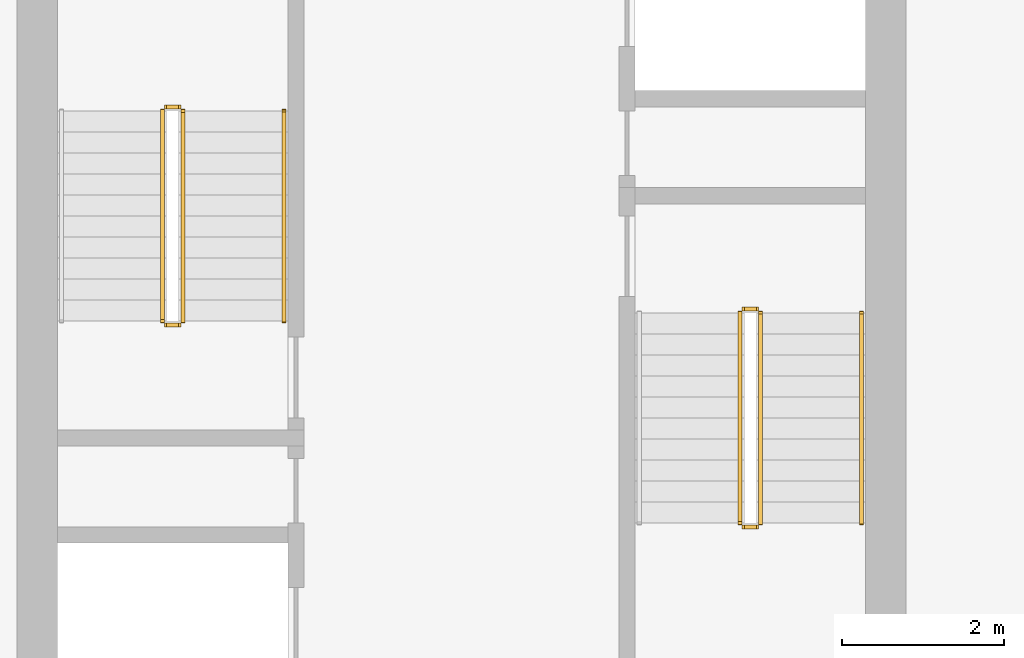
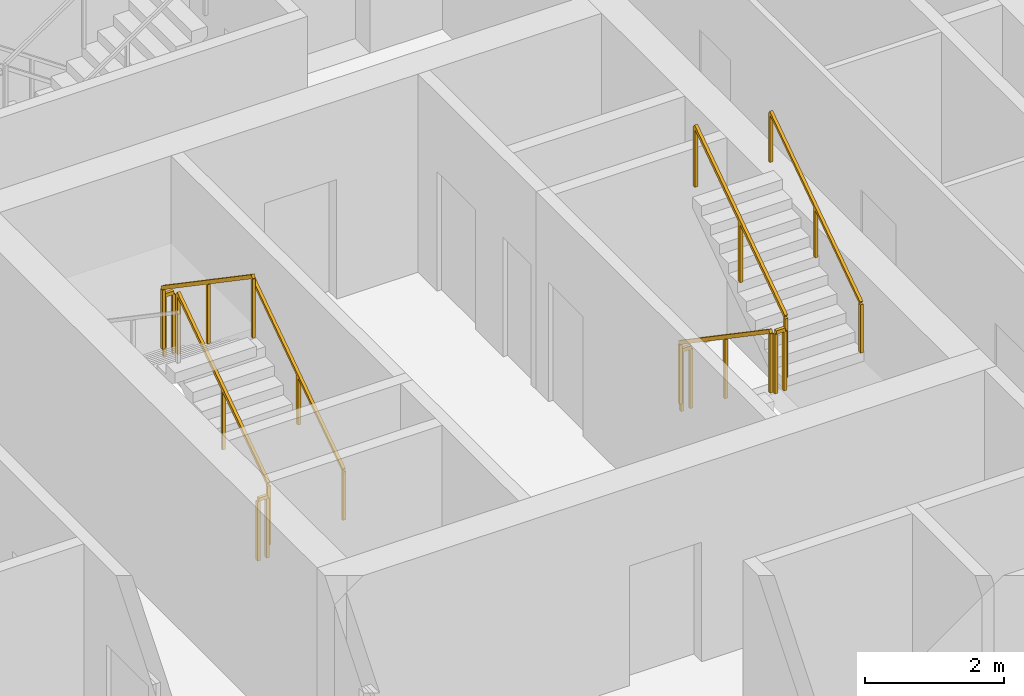
# One storey, part 12 of 15: 10 railings.
"""IFC4 building model written with IfcOpenShell, lengths in metres."""

import ifcopenshell
import ifcopenshell.guid

model = None  # the IFC model being written
_history = None  # IfcOwnerHistory: only IFC2X3 demands one
_inside = {}  # id of a spatial element -> (the spatial element, [elements in it])
_under = {}  # id of a project, library or spatial element -> (it, [spatial elements below it])
_declared = {}  # id of a project -> (the project, [libraries it declares])
_typed = {}  # id of a type object -> (the type object, [elements of that type])
_made_of = {}  # id of a material, layer set ... -> (it, [elements and type objects made of it])


def new_model(schema):
    """Start an empty IFC model of exactly this schema.

    Asked for "IFC4X3", IfcOpenShell would pick the latest addendum, in which some entities
    have other attributes; the version numbers below select the first issue.
    IFC2X3 requires an IfcOwnerHistory on every rooted entity: one is made here for all.
    """
    global model, _history
    if schema == "IFC4X3":
        model = ifcopenshell.file(schema_version=(4, 3, 0, 0))
    else:
        model = ifcopenshell.file(schema=schema)
    _inside.clear()
    _under.clear()
    _declared.clear()
    _typed.clear()
    _made_of.clear()
    _history = None
    if model.schema == "IFC2X3":
        org = make("IfcOrganization", Name="unknown")
        user = make(
            "IfcPersonAndOrganization",
            ThePerson=make("IfcPerson", FamilyName="unknown"),
            TheOrganization=org,
        )
        app = make(
            "IfcApplication",
            ApplicationDeveloper=org,
            Version="unknown",
            ApplicationFullName="unknown",
            ApplicationIdentifier="unknown",
        )
        _history = make(
            "IfcOwnerHistory",
            OwningUser=user,
            OwningApplication=app,
            ChangeAction="ADDED",
            CreationDate=0,
        )
    return model


def make(cls, **values):
    """One entity of the class cls with the attributes given. An attribute that is None is left unset."""
    return model.create_entity(
        cls, **{name: value for name, value in values.items() if value is not None}
    )


def rooted(cls, **values):
    """An entity with a GlobalId (a new one), such as an element, a storey or a relation."""
    return make(cls, GlobalId=ifcopenshell.guid.new(), OwnerHistory=_history, **values)


def si_unit(unit_type, name, prefix=None):
    """IfcSIUnit, for example si_unit("LENGTHUNIT", "METRE", prefix="MILLI")."""
    return make("IfcSIUnit", UnitType=unit_type, Prefix=prefix, Name=name)


def assignment(units):
    """IfcUnitAssignment: the units of a project."""
    return None if units is None else make("IfcUnitAssignment", Units=units)


def point(xyz):
    """IfcCartesianPoint."""
    return None if xyz is None else make("IfcCartesianPoint", Coordinates=xyz)


def direction(xyz):
    """IfcDirection."""
    return None if xyz is None else make("IfcDirection", DirectionRatios=xyz)


def frame(location, z_axis=None, x_axis=None):
    """IfcAxis2Placement3D, a coordinate frame: its origin and axes. An axis left out is left unset."""
    return make(
        "IfcAxis2Placement3D",
        Location=point(location),
        Axis=direction(z_axis),
        RefDirection=direction(x_axis),
    )


def frame_2d(location, x_axis=None):
    """IfcAxis2Placement2D, a coordinate frame in the plane: its origin and x axis."""
    return make(
        "IfcAxis2Placement2D", Location=point(location), RefDirection=direction(x_axis)
    )


def origin():
    """The frame at (0, 0, 0) with its axes left unset."""
    return frame((0.0, 0.0, 0.0))


def origin_2d():
    """The frame at (0, 0) in the plane with its x axis left unset."""
    return frame_2d((0.0, 0.0))


def place(relative_to, where):
    """IfcLocalPlacement: puts the frame where relative to a parent placement (None: the world)."""
    return make(
        "IfcLocalPlacement", PlacementRelTo=relative_to, RelativePlacement=where
    )


def context(
    kind, dimensions, precision=None, world=None, true_north=None, identifier=None
):
    """IfcGeometricRepresentationContext, for example the 3D "Model" context."""
    return make(
        "IfcGeometricRepresentationContext",
        ContextIdentifier=identifier,
        ContextType=kind,
        CoordinateSpaceDimension=dimensions,
        Precision=precision,
        WorldCoordinateSystem=world,
        TrueNorth=true_north,
    )


def subcontext(parent, identifier, kind, view, scale=None):
    """IfcGeometricRepresentationSubContext, for example "Body" below "Model"."""
    return make(
        "IfcGeometricRepresentationSubContext",
        ContextIdentifier=identifier,
        ContextType=kind,
        ParentContext=parent,
        TargetScale=scale,
        TargetView=view,
    )


def project(units=None, contexts=None):
    """IfcProject with its units and contexts."""
    return rooted(
        "IfcProject",
        Name="project",
        RepresentationContexts=contexts,
        UnitsInContext=assignment(units),
    )


def spatial(cls, under=None, at=None, **own):
    """A site, building, storey or space (cls), placed at a placement, below another one or the project."""
    s = rooted(cls, ObjectPlacement=at, **own)
    if under is not None:
        _under.setdefault(under.id(), (under, []))[1].append(s)
    return s


def profile(cls, at=None, kind="AREA", **sizes):
    """A parametric profile (cls). Its sizes go by their IFC names, for example OverallWidth=200.0."""
    return make(cls, ProfileType=kind, Position=at, **sizes)


def rectangle(**sizes):
    """IfcRectangleProfileDef."""
    return profile("IfcRectangleProfileDef", **sizes)


def extrude(swept, where, along, depth):
    """IfcExtrudedAreaSolid: the profile swept, set in the frame where, extruded along a direction by depth."""
    return make(
        "IfcExtrudedAreaSolid",
        SweptArea=swept,
        Position=where,
        ExtrudedDirection=direction(along),
        Depth=depth,
    )


def shape(context_of_items, identifier, shape_type, items):
    """IfcShapeRepresentation: the items that make up one representation, for example the "Body"."""
    return make(
        "IfcShapeRepresentation",
        ContextOfItems=context_of_items,
        RepresentationIdentifier=identifier,
        RepresentationType=shape_type,
        Items=items,
    )


def material(Name=None, Category=None):
    """IfcMaterial."""
    return make("IfcMaterial", Name=Name, Category=Category)


def made_of(thing, what):
    """Note that an element or type object is made of a material, layer set ...; save() writes the relation."""
    if what is not None:
        _made_of.setdefault(what.id(), (what, []))[1].append(thing)
    return thing


def type_object(cls, material=None, **own):
    """A type object (cls), such as IfcWallType, which elements share."""
    return made_of(rooted(cls, **own), material)


def element(
    cls,
    number,
    at=None,
    inside=None,
    cuts=None,
    type_object=None,
    material=None,
    context=None,
    identifier="Body",
    shape_type=None,
    held_by="IfcProductDefinitionShape",
    body=None,
    shapes=None,
    **own,
):
    """One element of the class cls, such as IfcWall. Its Tag is "e" and its number.

    at: its placement. inside: the storey or other place that contains it. cuts: it is an
    opening in that element (IfcRelVoidsElement). A single representation is given by context,
    identifier, shape_type and body (its items); several are given by shapes. held_by: the class
    of the entity that holds the representations. save() writes the other relations.
    """
    e = rooted(cls, Tag="e%d" % number, ObjectPlacement=at, **own)
    if body is not None:
        shapes = [shape(context, identifier, shape_type, body)]
    if shapes is not None:
        e.Representation = make(held_by, Representations=shapes)
    if inside is not None:
        _inside.setdefault(inside.id(), (inside, []))[1].append(e)
    if cuts is not None:
        rooted(
            "IfcRelVoidsElement", RelatingBuildingElement=cuts, RelatedOpeningElement=e
        )
    if type_object is not None:
        _typed.setdefault(type_object.id(), (type_object, []))[1].append(e)
    return made_of(e, material)


def aggregate(whole, parts):
    """IfcRelAggregates: a whole, such as a stair, and the parts it consists of."""
    return rooted("IfcRelAggregates", RelatingObject=whole, RelatedObjects=parts)


def save(model, path):
    """Write the relations noted so far, then the file.

    IfcRelAggregates (storeys below a building ...), IfcRelContainedInSpatialStructure (elements
    in a storey), IfcRelDefinesByType, IfcRelAssociatesMaterial and IfcRelDeclares: one each for
    every whole, place, type object, material and project.
    """
    for whole, parts in _under.values():
        aggregate(whole, parts)
    for where, things in _inside.values():
        rooted(
            "IfcRelContainedInSpatialStructure",
            RelatedElements=things,
            RelatingStructure=where,
        )
    for kind, things in _typed.values():
        rooted("IfcRelDefinesByType", RelatedObjects=things, RelatingType=kind)
    for what, things in _made_of.values():
        rooted("IfcRelAssociatesMaterial", RelatedObjects=things, RelatingMaterial=what)
    for by, libraries in _declared.values():
        rooted("IfcRelDeclares", RelatingContext=by, RelatedDefinitions=libraries)
    model.write(path)


model = new_model("IFC4")

# Units and contexts
model_context = context("Model", 3, precision=1e-05, world=origin(), true_north=direction((0.0, 1.0)))
body_context = subcontext(model_context, "Body", "Model", "MODEL_VIEW")
ifc_project = project(units=[si_unit("LENGTHUNIT", "METRE"), si_unit("AREAUNIT", "SQUARE_METRE"), si_unit("VOLUMEUNIT", "CUBIC_METRE"), si_unit("PLANEANGLEUNIT", "RADIAN"), si_unit("MASSUNIT", "GRAM", prefix="KILO")], contexts=[model_context])

# Site, building, storey
site_placement = place(None, origin())
site = spatial("IfcSite", under=ifc_project, at=site_placement, CompositionType="ELEMENT")
building_placement = place(site_placement, origin())
building = spatial("IfcBuilding", under=site, at=building_placement, Name="Khepri Terraces", CompositionType="ELEMENT")
storey_placement = place(building_placement, frame((0.0, 0.0, 94.800048828125)))
storey = spatial("IfcBuildingStorey", under=building, at=storey_placement, Name="L22", CompositionType="ELEMENT", Elevation=94.800048828125)

# Railings
ifc_material = material(Name="Stainless steel 316", Category="steel")
railing_type_1 = type_object("IfcRailingType", Name="RL-CORE-GUARD", PredefinedType="GUARDRAIL", material=ifc_material)
railing_1_placement = place(storey_placement, frame((-3.449951171875, -0.050048828125, 0.17724609375)))
element("IfcRailing", 1, at=railing_1_placement, inside=storey, type_object=railing_type_1, Name="L22 ST-1 stair guard 1", PredefinedType="GUARDRAIL", context=body_context, shape_type="SweptSolid", body=[
    extrude(rectangle(XDim=0.050048828125, YDim=0.06005859375, at=origin_2d()), frame((0.0, 0.0, 1.070068359375), z_axis=(0.0, 0.826240473404, 0.563317565952), x_axis=(-1.0, 0.0, 0.0)), (0.0, 0.0, 1.0), 3.14697265625),
    extrude(rectangle(XDim=0.050048828125, YDim=0.050048828125, at=origin_2d()), origin(), (0.0, 0.0, 1.0), 1.0400390625),
    extrude(rectangle(XDim=0.050048828125, YDim=0.050048828125, at=origin_2d()), frame((0.0, 1.300048828125, 0.88623046875)), (0.0, 0.0, 1.0), 1.0400390625),
    extrude(rectangle(XDim=0.050048828125, YDim=0.050048828125, at=origin_2d()), frame((0.0, 2.60009765625, 1.772705078125)), (0.0, 0.0, 1.0), 1.0400390625),
])
railing_2_placement = place(storey_placement, frame((-3.5, 2.60009765625, 1.949951171875)))
element("IfcRailing", 2, at=railing_2_placement, inside=storey, type_object=railing_type_1, Name="L22 ST-1 stair guard 2", PredefinedType="GUARDRAIL", context=body_context, shape_type="SweptSolid", body=[
    extrude(rectangle(XDim=0.050048828125, YDim=0.06005859375, at=origin_2d()), frame((0.0, 0.0, 1.070068359375), z_axis=(-1.0, 0.0, 0.0), x_axis=(0.0, -1.0, 0.0)), (0.0, 0.0, 1.0), 0.14990234375),
    extrude(rectangle(XDim=0.050048828125, YDim=0.050048828125, at=origin_2d()), origin(), (0.0, 0.0, 1.0), 1.0400390625),
    extrude(rectangle(XDim=0.050048828125, YDim=0.050048828125, at=origin_2d()), frame((-0.14990234375, 0.0, 0.0)), (0.0, 0.0, 1.0), 1.0400390625),
])
railing_3_placement = place(storey_placement, frame((-3.699951171875, 2.550048828125, 2.127197265625)))
element("IfcRailing", 3, at=railing_3_placement, inside=storey, type_object=railing_type_1, Name="L22 ST-1 stair guard 3", PredefinedType="GUARDRAIL", context=body_context, shape_type="SweptSolid", body=[
    extrude(rectangle(XDim=0.050048828125, YDim=0.06005859375, at=origin_2d()), frame((0.0, 0.0, 1.070068359375), z_axis=(0.0, -0.826240473404, 0.563317565952), x_axis=(1.0, 0.0, 0.0)), (0.0, 0.0, 1.0), 3.14697265625),
    extrude(rectangle(XDim=0.050048828125, YDim=0.050048828125, at=origin_2d()), origin(), (0.0, 0.0, 1.0), 1.0400390625),
    extrude(rectangle(XDim=0.050048828125, YDim=0.050048828125, at=origin_2d()), frame((0.0, -1.300048828125, 0.88623046875)), (0.0, 0.0, 1.0), 1.0400390625),
    extrude(rectangle(XDim=0.050048828125, YDim=0.050048828125, at=origin_2d()), frame((0.0, -2.60009765625, 1.772705078125)), (0.0, 0.0, 1.0), 1.0400390625),
])
railing_4_placement = place(storey_placement, frame((-3.5, -0.10009765625, 0.0)))
element("IfcRailing", 4, at=railing_4_placement, inside=storey, type_object=railing_type_1, Name="L22 ST-1 stair guard 4", PredefinedType="GUARDRAIL", context=body_context, shape_type="SweptSolid", body=[
    extrude(rectangle(XDim=0.050048828125, YDim=0.06005859375, at=origin_2d()), frame((0.0, 0.0, 1.070068359375), z_axis=(-1.0, 0.0, 0.0), x_axis=(0.0, -1.0, 0.0)), (0.0, 0.0, 1.0), 0.14990234375),
    extrude(rectangle(XDim=0.050048828125, YDim=0.050048828125, at=origin_2d()), origin(), (0.0, 0.0, 1.0), 1.0400390625),
    extrude(rectangle(XDim=0.050048828125, YDim=0.050048828125, at=origin_2d()), frame((-0.14990234375, 0.0, 0.0)), (0.0, 0.0, 1.0), 1.0400390625),
])
railing_5_placement = place(storey_placement, frame((3.449951171875, 0.050048828125, 0.17724609375)))
element("IfcRailing", 5, at=railing_5_placement, inside=storey, type_object=railing_type_1, Name="L22 ST-2 stair guard 1", PredefinedType="GUARDRAIL", context=body_context, shape_type="SweptSolid", body=[
    extrude(rectangle(XDim=0.050048828125, YDim=0.06005859375, at=origin_2d()), frame((0.0, 0.0, 1.070068359375), z_axis=(0.0, -0.826240473404, 0.563317565952), x_axis=(1.0, 0.0, 0.0)), (0.0, 0.0, 1.0), 3.14697265625),
    extrude(rectangle(XDim=0.050048828125, YDim=0.050048828125, at=origin_2d()), origin(), (0.0, 0.0, 1.0), 1.0400390625),
    extrude(rectangle(XDim=0.050048828125, YDim=0.050048828125, at=origin_2d()), frame((0.0, -1.300048828125, 0.88623046875)), (0.0, 0.0, 1.0), 1.0400390625),
    extrude(rectangle(XDim=0.050048828125, YDim=0.050048828125, at=origin_2d()), frame((0.0, -2.60009765625, 1.772705078125)), (0.0, 0.0, 1.0), 1.0400390625),
])
railing_6_placement = place(storey_placement, frame((3.5, -2.60009765625, 1.949951171875)))
element("IfcRailing", 6, at=railing_6_placement, inside=storey, type_object=railing_type_1, Name="L22 ST-2 stair guard 2", PredefinedType="GUARDRAIL", context=body_context, shape_type="SweptSolid", body=[
    extrude(rectangle(XDim=0.050048828125, YDim=0.06005859375, at=origin_2d()), frame((0.0, 0.0, 1.070068359375), z_axis=(1.0, 0.0, 0.0), x_axis=(0.0, 1.0, 0.0)), (0.0, 0.0, 1.0), 0.14990234375),
    extrude(rectangle(XDim=0.050048828125, YDim=0.050048828125, at=origin_2d()), origin(), (0.0, 0.0, 1.0), 1.0400390625),
    extrude(rectangle(XDim=0.050048828125, YDim=0.050048828125, at=origin_2d()), frame((0.14990234375, 0.0, 0.0)), (0.0, 0.0, 1.0), 1.0400390625),
])
railing_7_placement = place(storey_placement, frame((3.699951171875, -2.550048828125, 2.127197265625)))
element("IfcRailing", 7, at=railing_7_placement, inside=storey, type_object=railing_type_1, Name="L22 ST-2 stair guard 3", PredefinedType="GUARDRAIL", context=body_context, shape_type="SweptSolid", body=[
    extrude(rectangle(XDim=0.050048828125, YDim=0.06005859375, at=origin_2d()), frame((0.0, 0.0, 1.070068359375), z_axis=(0.0, 0.826240473404, 0.563317565952), x_axis=(-1.0, 0.0, 0.0)), (0.0, 0.0, 1.0), 3.14697265625),
    extrude(rectangle(XDim=0.050048828125, YDim=0.050048828125, at=origin_2d()), origin(), (0.0, 0.0, 1.0), 1.0400390625),
    extrude(rectangle(XDim=0.050048828125, YDim=0.050048828125, at=origin_2d()), frame((0.0, 1.300048828125, 0.88623046875)), (0.0, 0.0, 1.0), 1.0400390625),
    extrude(rectangle(XDim=0.050048828125, YDim=0.050048828125, at=origin_2d()), frame((0.0, 2.60009765625, 1.772705078125)), (0.0, 0.0, 1.0), 1.0400390625),
])
railing_8_placement = place(storey_placement, frame((3.5, 0.10009765625, 0.0)))
element("IfcRailing", 8, at=railing_8_placement, inside=storey, type_object=railing_type_1, Name="L22 ST-2 stair guard 4", PredefinedType="GUARDRAIL", context=body_context, shape_type="SweptSolid", body=[
    extrude(rectangle(XDim=0.050048828125, YDim=0.06005859375, at=origin_2d()), frame((0.0, 0.0, 1.070068359375), z_axis=(1.0, 0.0, 0.0), x_axis=(0.0, 1.0, 0.0)), (0.0, 0.0, 1.0), 0.14990234375),
    extrude(rectangle(XDim=0.050048828125, YDim=0.050048828125, at=origin_2d()), origin(), (0.0, 0.0, 1.0), 1.0400390625),
    extrude(rectangle(XDim=0.050048828125, YDim=0.050048828125, at=origin_2d()), frame((0.14990234375, 0.0, 0.0)), (0.0, 0.0, 1.0), 1.0400390625),
])
railing_type_2 = type_object("IfcRailingType", Name="RL-CORE-HANDRAIL", PredefinedType="HANDRAIL", material=ifc_material)
for number, where, name in (
    (9, (-2.199951171875, -0.050048828125, 0.17724609375), "L22 ST-1 stair handrail 1"),
    (10, (4.949951171875, -2.550048828125, 2.127197265625), "L22 ST-2 stair handrail 2"),
):
    element("IfcRailing", number, at=place(storey_placement, frame(where)), inside=storey, type_object=railing_type_2, Name=name, PredefinedType="HANDRAIL", context=body_context, shape_type="SweptSolid", body=[
        extrude(rectangle(XDim=0.050048828125, YDim=0.050048828125, at=origin_2d()), frame((0.0, 0.0, 0.875), z_axis=(0.0, 0.826240473404, 0.563317565952), x_axis=(-1.0, 0.0, 0.0)), (0.0, 0.0, 1.0), 3.14697265625),
        extrude(rectangle(XDim=0.050048828125, YDim=0.050048828125, at=origin_2d()), origin(), (0.0, 0.0, 1.0), 0.849853515625),
        extrude(rectangle(XDim=0.050048828125, YDim=0.050048828125, at=origin_2d()), frame((0.0, 1.300048828125, 0.88623046875)), (0.0, 0.0, 1.0), 0.849853515625),
        extrude(rectangle(XDim=0.050048828125, YDim=0.050048828125, at=origin_2d()), frame((0.0, 2.60009765625, 1.772705078125)), (0.0, 0.0, 1.0), 0.849853515625),
    ])

save(model, "model.ifc")
